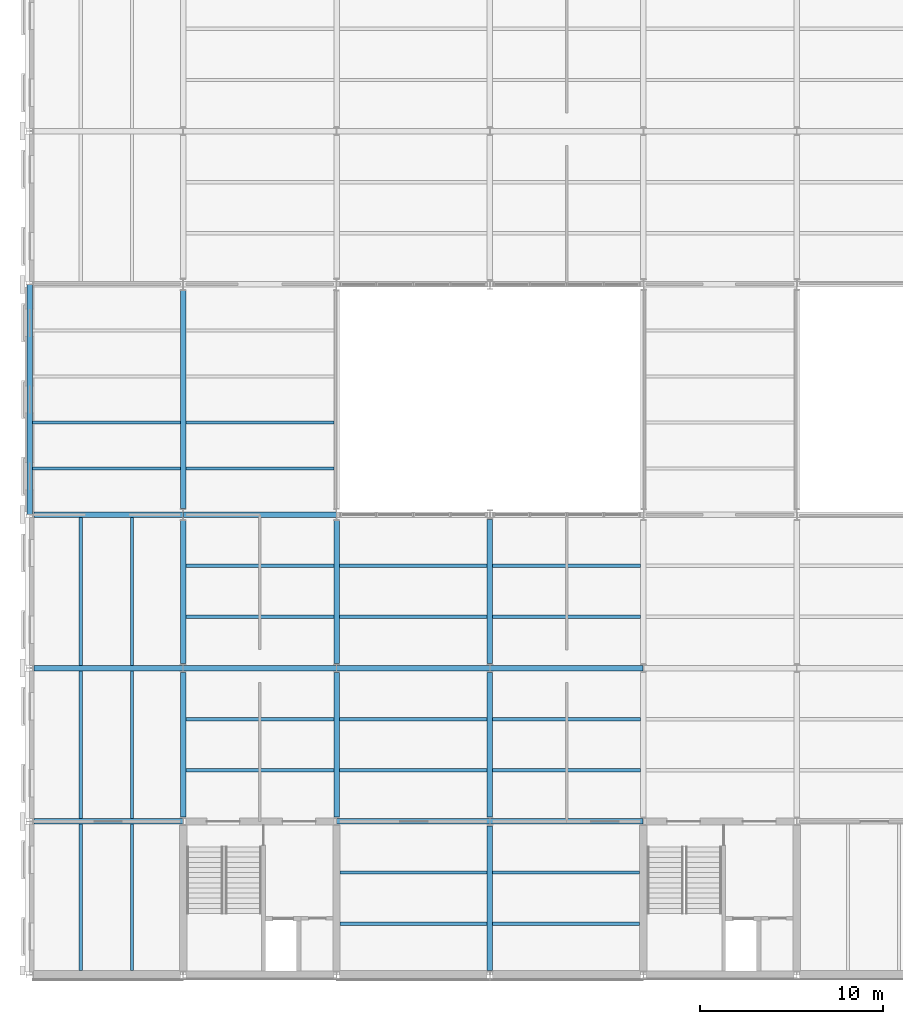
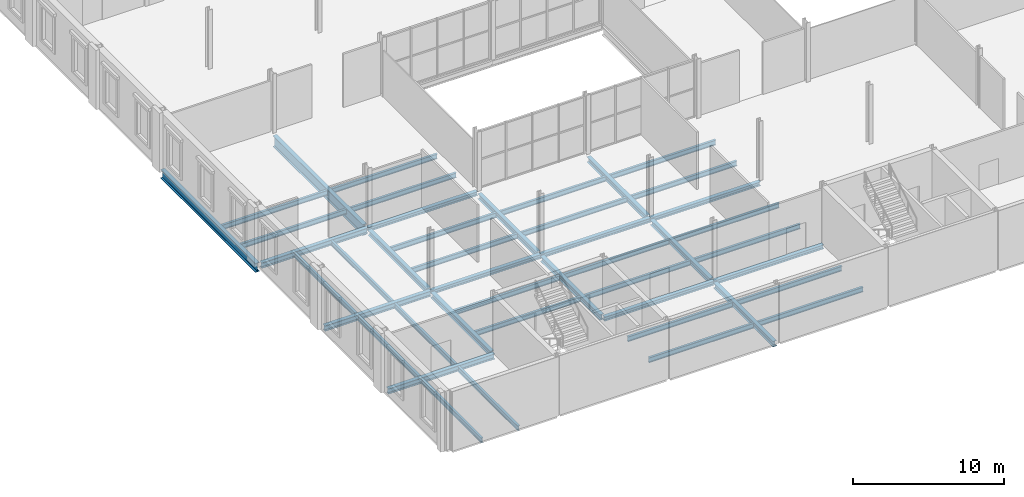
# One storey, part 9 of 52: 44 beams.
"""IFC4 building model written with IfcOpenShell, lengths in metres."""

from ifc_helpers import new_model, si_unit, direction, frame, origin, origin_2d, place, context, subcontext, project, spatial, i_section, extrude, material, material_profile, profile_set, type_object, element, save


model = new_model("IFC4")

# Units and contexts
model_context = context("Model", 3, precision=1e-05, world=origin(), true_north=direction((0.0, 1.0)))
body_context = subcontext(model_context, "Body", "Model", "MODEL_VIEW")
ifc_project = project(units=[si_unit("LENGTHUNIT", "METRE"), si_unit("AREAUNIT", "SQUARE_METRE"), si_unit("VOLUMEUNIT", "CUBIC_METRE"), si_unit("PLANEANGLEUNIT", "RADIAN"), si_unit("MASSUNIT", "GRAM", prefix="KILO")], contexts=[model_context])

# Site, building, storey
site_placement = place(None, origin())
site = spatial("IfcSite", under=ifc_project, at=site_placement, CompositionType="ELEMENT")
building_placement = place(site_placement, origin())
building = spatial("IfcBuilding", under=site, at=building_placement, Name="Galleria Vessillo Department Store", CompositionType="ELEMENT")
storey_placement = place(building_placement, frame((0.0, 0.0, 16.199951171875)))
storey = spatial("IfcBuildingStorey", under=building, at=storey_placement, Name="L03", CompositionType="ELEMENT", Elevation=16.199951171875)

# Beams
ifc_material_1 = material(Name="Steel S355 J2", Category="steel")
ifc_material_profile_1 = material_profile(ifc_material_1, i_section(OverallWidth=0.300048828125, OverallDepth=0.43994140625, WebThickness=0.011474609375, FlangeThickness=0.02099609375, FilletRadius=0.027099609375, at=origin_2d()), Name="HEA 450")
ifc_profile_set_1 = profile_set([ifc_material_profile_1], Name="Steel S355 J2")
beam_type_1 = type_object("IfcBeamType", Name="Floor girder HEA 450", PredefinedType="BEAM", material=ifc_profile_set_1)
for number, where, z_axis, x_axis, name in (
    (1, (0.250244140625, 8.39990234375, -0.369873046875), (1.0, 0.0, 0.0), (0.0, 1.0, 0.0), "S-BM-L03-GI-x8400-250"),
    (2, (0.250244140625, 16.800048828125, -0.369873046875), (1.0, 0.0, 0.0), (0.0, 1.0, 0.0), "S-BM-L03-GI-x16800-250"),
):
    element("IfcBeam", number, at=place(storey_placement, frame(where, z_axis=z_axis, x_axis=x_axis)), inside=storey, type_object=beam_type_1, Name=name, PredefinedType="BEAM", context=body_context, shape_type="SweptSolid", body=[
        extrude(i_section(OverallWidth=0.300048828125, OverallDepth=0.43994140625, WebThickness=0.011474609375, FlangeThickness=0.02099609375, FilletRadius=0.027099609375, at=origin_2d()), origin(), (0.0, 0.0, 1.0), 8.142333984375),
    ])
beam_1_placement = place(storey_placement, frame((0.250244140625, 25.199951171875, -0.369873046875), z_axis=(1.0, 0.0, 0.0), x_axis=(0.0, 1.0, 0.0)))
element("IfcBeam", 3, at=beam_1_placement, inside=storey, type_object=beam_type_1, Name="S-BM-L03-GI-x25200-250", PredefinedType="BEAM", context=body_context, shape_type="SweptSolid", body=[
    extrude(i_section(OverallWidth=0.300048828125, OverallDepth=0.43994140625, WebThickness=0.011474609375, FlangeThickness=0.02099609375, FilletRadius=0.027099609375, at=origin_2d()), origin(), (0.0, 0.0, 1.0), 8.13916015625),
])
beam_2_placement = place(storey_placement, frame((8.39990234375, 8.650146484375, -0.369873046875), z_axis=(0.0, 1.0, 0.0), x_axis=(-1.0, 0.0, 0.0)))
element("IfcBeam", 4, at=beam_2_placement, inside=storey, type_object=beam_type_1, Name="S-BM-L03-GI-y8400-8650", PredefinedType="BEAM", context=body_context, shape_type="SweptSolid", body=[
    extrude(i_section(OverallWidth=0.300048828125, OverallDepth=0.43994140625, WebThickness=0.011474609375, FlangeThickness=0.02099609375, FilletRadius=0.027099609375, at=origin_2d()), origin(), (0.0, 0.0, 1.0), 7.899658203125),
])
beam_3_placement = place(storey_placement, frame((8.39990234375, 17.050048828125, -0.369873046875), z_axis=(0.0, 1.0, 0.0), x_axis=(-1.0, 0.0, 0.0)))
element("IfcBeam", 5, at=beam_3_placement, inside=storey, type_object=beam_type_1, Name="S-BM-L03-GI-y8400-17050", PredefinedType="BEAM", context=body_context, shape_type="SweptSolid", body=[
    extrude(i_section(OverallWidth=0.300048828125, OverallDepth=0.43994140625, WebThickness=0.011474609375, FlangeThickness=0.02099609375, FilletRadius=0.027099609375, at=origin_2d()), origin(), (0.0, 0.0, 1.0), 7.81591796875),
])
beam_4_placement = place(storey_placement, frame((16.800048828125, 8.650146484375, -0.369873046875), z_axis=(0.0, 1.0, 0.0), x_axis=(-1.0, 0.0, 0.0)))
element("IfcBeam", 6, at=beam_4_placement, inside=storey, type_object=beam_type_1, Name="S-BM-L03-GI-y16800-8650", PredefinedType="BEAM", context=body_context, shape_type="SweptSolid", body=[
    extrude(i_section(OverallWidth=0.300048828125, OverallDepth=0.43994140625, WebThickness=0.011474609375, FlangeThickness=0.02099609375, FilletRadius=0.027099609375, at=origin_2d()), origin(), (0.0, 0.0, 1.0), 7.899658203125),
])
beam_5_placement = place(storey_placement, frame((16.800048828125, 17.050048828125, -0.369873046875), z_axis=(0.0, 1.0, 0.0), x_axis=(-1.0, 0.0, 0.0)))
element("IfcBeam", 7, at=beam_5_placement, inside=storey, type_object=beam_type_1, Name="S-BM-L03-GI-y16800-17050", PredefinedType="BEAM", context=body_context, shape_type="SweptSolid", body=[
    extrude(i_section(OverallWidth=0.300048828125, OverallDepth=0.43994140625, WebThickness=0.011474609375, FlangeThickness=0.02099609375, FilletRadius=0.027099609375, at=origin_2d()), origin(), (0.0, 0.0, 1.0), 7.81591796875),
])
for number, where, z_axis, x_axis, name in (
    (8, (25.199951171875, 0.250244140625, -0.369873046875), (0.0, 1.0, 0.0), (-1.0, 0.0, 0.0), "S-BM-L03-GI-y25200-250"),
    (9, (25.199951171875, 8.650146484375, -0.369873046875), (0.0, 1.0, 0.0), (-1.0, 0.0, 0.0), "S-BM-L03-GI-y25200-8650"),
):
    element("IfcBeam", number, at=place(storey_placement, frame(where, z_axis=z_axis, x_axis=x_axis)), inside=storey, type_object=beam_type_1, Name=name, PredefinedType="BEAM", context=body_context, shape_type="SweptSolid", body=[
        extrude(i_section(OverallWidth=0.300048828125, OverallDepth=0.43994140625, WebThickness=0.011474609375, FlangeThickness=0.02099609375, FilletRadius=0.027099609375, at=origin_2d()), origin(), (0.0, 0.0, 1.0), 7.899658203125),
    ])
beam_6_placement = place(storey_placement, frame((25.199951171875, 17.050048828125, -0.369873046875), z_axis=(0.0, 1.0, 0.0), x_axis=(-1.0, 0.0, 0.0)))
element("IfcBeam", 10, at=beam_6_placement, inside=storey, type_object=beam_type_1, Name="S-BM-L03-GI-y25200-17050", PredefinedType="BEAM", context=body_context, shape_type="SweptSolid", body=[
    extrude(i_section(OverallWidth=0.300048828125, OverallDepth=0.43994140625, WebThickness=0.011474609375, FlangeThickness=0.02099609375, FilletRadius=0.027099609375, at=origin_2d()), origin(), (0.0, 0.0, 1.0), 7.887939453125),
])
ifc_material_2 = material(Name="Steel S355 J2", Category="steel")
ifc_material_profile_2 = material_profile(ifc_material_2, i_section(OverallWidth=0.300048828125, OverallDepth=0.889892578125, WebThickness=0.01611328125, FlangeThickness=0.030029296875, FilletRadius=0.030029296875, at=origin_2d()), Name="HEA 900")
ifc_profile_set_2 = profile_set([ifc_material_profile_2], Name="Steel S355 J2")
beam_type_2 = type_object("IfcBeamType", Name="Floor girder HEA 900", PredefinedType="BEAM", material=ifc_profile_set_2)
beam_7_placement = place(storey_placement, frame((8.39990234375, 25.5341796875, -0.594970703125), z_axis=(0.0, 1.0, 0.0), x_axis=(-1.0, 0.0, 0.0)))
element("IfcBeam", 11, at=beam_7_placement, inside=storey, type_object=beam_type_2, Name="S-BM-L03-GI-y8400-25534", PredefinedType="BEAM", context=body_context, shape_type="SweptSolid", body=[
    extrude(i_section(OverallWidth=0.300048828125, OverallDepth=0.889892578125, WebThickness=0.01611328125, FlangeThickness=0.030029296875, FilletRadius=0.030029296875, at=origin_2d()), origin(), (0.0, 0.0, 1.0), 11.931640625),
])
ifc_material_3 = material(Name="Steel S355 J2", Category="steel")
ifc_material_profile_3 = material_profile(ifc_material_3, i_section(OverallWidth=0.179931640625, OverallDepth=0.39990234375, WebThickness=0.008544921875, FlangeThickness=0.013427734375, FilletRadius=0.02099609375, at=origin_2d()), Name="IPE 400")
ifc_profile_set_3 = profile_set([ifc_material_profile_3], Name="Steel S355 J2")
beam_type_3 = type_object("IfcBeamType", Name="Floor joist IPE 400", PredefinedType="JOIST", material=ifc_profile_set_3)
for number, where, z_axis, x_axis, name in (
    (12, (2.800048828125, 0.250244140625, -0.349853515625), (0.0, 1.0, 0.0), (-1.0, 0.0, 0.0), "S-BM-L03-JO-y2800-250"),
    (13, (5.60009765625, 0.250244140625, -0.349853515625), (0.0, 1.0, 0.0), (-1.0, 0.0, 0.0), "S-BM-L03-JO-y5600-250"),
):
    element("IfcBeam", number, at=place(storey_placement, frame(where, z_axis=z_axis, x_axis=x_axis)), inside=storey, type_object=beam_type_3, Name=name, PredefinedType="JOIST", context=body_context, shape_type="SweptSolid", body=[
        extrude(i_section(OverallWidth=0.179931640625, OverallDepth=0.39990234375, WebThickness=0.008544921875, FlangeThickness=0.013427734375, FilletRadius=0.02099609375, at=origin_2d()), origin(), (0.0, 0.0, 1.0), 7.99951171875),
    ])
for number, where, z_axis, x_axis, name in (
    (14, (2.800048828125, 8.550048828125, -0.349853515625), (0.0, 1.0, 0.0), (-1.0, 0.0, 0.0), "S-BM-L03-JO-y2800-8550"),
    (15, (5.60009765625, 8.550048828125, -0.349853515625), (0.0, 1.0, 0.0), (-1.0, 0.0, 0.0), "S-BM-L03-JO-y5600-8550"),
):
    element("IfcBeam", number, at=place(storey_placement, frame(where, z_axis=z_axis, x_axis=x_axis)), inside=storey, type_object=beam_type_3, Name=name, PredefinedType="JOIST", context=body_context, shape_type="SweptSolid", body=[
        extrude(i_section(OverallWidth=0.179931640625, OverallDepth=0.39990234375, WebThickness=0.008544921875, FlangeThickness=0.013427734375, FilletRadius=0.02099609375, at=origin_2d()), origin(), (0.0, 0.0, 1.0), 8.099853515625),
    ])
for number, where, z_axis, x_axis, name in (
    (16, (2.800048828125, 16.9501953125, -0.349853515625), (0.0, 1.0, 0.0), (-1.0, 0.0, 0.0), "S-BM-L03-JO-y2800-16950"),
    (17, (5.60009765625, 16.9501953125, -0.349853515625), (0.0, 1.0, 0.0), (-1.0, 0.0, 0.0), "S-BM-L03-JO-y5600-16950"),
):
    element("IfcBeam", number, at=place(storey_placement, frame(where, z_axis=z_axis, x_axis=x_axis)), inside=storey, type_object=beam_type_3, Name=name, PredefinedType="JOIST", context=body_context, shape_type="SweptSolid", body=[
        extrude(i_section(OverallWidth=0.179931640625, OverallDepth=0.39990234375, WebThickness=0.008544921875, FlangeThickness=0.013427734375, FilletRadius=0.02099609375, at=origin_2d()), origin(), (0.0, 0.0, 1.0), 8.099609375),
    ])
for number, where, z_axis, x_axis, name in (
    (18, (0.152099609375, 27.719970703125, -0.349853515625), (1.0, 0.0, 0.0), (0.0, 1.0, 0.0), "S-BM-L03-JO-x27720-152"),
    (19, (0.152099609375, 30.239990234375, -0.349853515625), (1.0, 0.0, 0.0), (0.0, 1.0, 0.0), "S-BM-L03-JO-x30240-152"),
):
    element("IfcBeam", number, at=place(storey_placement, frame(where, z_axis=z_axis, x_axis=x_axis)), inside=storey, type_object=beam_type_3, Name=name, PredefinedType="JOIST", context=body_context, shape_type="SweptSolid", body=[
        extrude(i_section(OverallWidth=0.179931640625, OverallDepth=0.39990234375, WebThickness=0.008544921875, FlangeThickness=0.013427734375, FilletRadius=0.02099609375, at=origin_2d()), origin(), (0.0, 0.0, 1.0), 8.09765625),
    ])
for number, where, z_axis, x_axis, name in (
    (20, (8.550048828125, 11.199951171875, -0.349853515625), (1.0, 0.0, 0.0), (0.0, 1.0, 0.0), "S-BM-L03-JO-x11200-8550"),
    (21, (8.550048828125, 14.0, -0.349853515625), (1.0, 0.0, 0.0), (0.0, 1.0, 0.0), "S-BM-L03-JO-x14000-8550"),
    (22, (8.550048828125, 19.60009765625, -0.349853515625), (1.0, 0.0, 0.0), (0.0, 1.0, 0.0), "S-BM-L03-JO-x19600-8550"),
    (23, (8.550048828125, 22.39990234375, -0.349853515625), (1.0, 0.0, 0.0), (0.0, 1.0, 0.0), "S-BM-L03-JO-x22400-8550"),
    (24, (8.550048828125, 27.719970703125, -0.349853515625), (1.0, 0.0, 0.0), (0.0, 1.0, 0.0), "S-BM-L03-JO-x27720-8550"),
    (25, (8.550048828125, 30.239990234375, -0.349853515625), (1.0, 0.0, 0.0), (0.0, 1.0, 0.0), "S-BM-L03-JO-x30240-8550"),
):
    element("IfcBeam", number, at=place(storey_placement, frame(where, z_axis=z_axis, x_axis=x_axis)), inside=storey, type_object=beam_type_3, Name=name, PredefinedType="JOIST", context=body_context, shape_type="SweptSolid", body=[
        extrude(i_section(OverallWidth=0.179931640625, OverallDepth=0.39990234375, WebThickness=0.008544921875, FlangeThickness=0.013427734375, FilletRadius=0.02099609375, at=origin_2d()), origin(), (0.0, 0.0, 1.0), 8.099853515625),
    ])
for number, where, z_axis, x_axis, name in (
    (26, (17.000244140625, 2.800048828125, -0.349853515625), (1.0, 0.0, 0.0), (0.0, 1.0, 0.0), "S-BM-L03-JO-x2800-17000"),
    (27, (17.000244140625, 5.60009765625, -0.349853515625), (1.0, 0.0, 0.0), (0.0, 1.0, 0.0), "S-BM-L03-JO-x5600-17000"),
):
    element("IfcBeam", number, at=place(storey_placement, frame(where, z_axis=z_axis, x_axis=x_axis)), inside=storey, type_object=beam_type_3, Name=name, PredefinedType="JOIST", context=body_context, shape_type="SweptSolid", body=[
        extrude(i_section(OverallWidth=0.179931640625, OverallDepth=0.39990234375, WebThickness=0.008544921875, FlangeThickness=0.013427734375, FilletRadius=0.02099609375, at=origin_2d()), origin(), (0.0, 0.0, 1.0), 8.049560546875),
    ])
for number, where, z_axis, x_axis, name in (
    (28, (16.9501953125, 11.199951171875, -0.349853515625), (1.0, 0.0, 0.0), (0.0, 1.0, 0.0), "S-BM-L03-JO-x11200-16950"),
    (29, (16.9501953125, 14.0, -0.349853515625), (1.0, 0.0, 0.0), (0.0, 1.0, 0.0), "S-BM-L03-JO-x14000-16950"),
    (30, (16.9501953125, 19.60009765625, -0.349853515625), (1.0, 0.0, 0.0), (0.0, 1.0, 0.0), "S-BM-L03-JO-x19600-16950"),
    (31, (16.9501953125, 22.39990234375, -0.349853515625), (1.0, 0.0, 0.0), (0.0, 1.0, 0.0), "S-BM-L03-JO-x22400-16950"),
):
    element("IfcBeam", number, at=place(storey_placement, frame(where, z_axis=z_axis, x_axis=x_axis)), inside=storey, type_object=beam_type_3, Name=name, PredefinedType="JOIST", context=body_context, shape_type="SweptSolid", body=[
        extrude(i_section(OverallWidth=0.179931640625, OverallDepth=0.39990234375, WebThickness=0.008544921875, FlangeThickness=0.013427734375, FilletRadius=0.02099609375, at=origin_2d()), origin(), (0.0, 0.0, 1.0), 8.099609375),
    ])
for number, where, z_axis, x_axis, name in (
    (32, (25.35009765625, 2.800048828125, -0.349853515625), (1.0, 0.0, 0.0), (0.0, 1.0, 0.0), "S-BM-L03-JO-x2800-25350"),
    (33, (25.35009765625, 5.60009765625, -0.349853515625), (1.0, 0.0, 0.0), (0.0, 1.0, 0.0), "S-BM-L03-JO-x5600-25350"),
):
    element("IfcBeam", number, at=place(storey_placement, frame(where, z_axis=z_axis, x_axis=x_axis)), inside=storey, type_object=beam_type_3, Name=name, PredefinedType="JOIST", context=body_context, shape_type="SweptSolid", body=[
        extrude(i_section(OverallWidth=0.179931640625, OverallDepth=0.39990234375, WebThickness=0.008544921875, FlangeThickness=0.013427734375, FilletRadius=0.02099609375, at=origin_2d()), origin(), (0.0, 0.0, 1.0), 8.0498046875),
    ])
for number, where, z_axis, x_axis, name in (
    (34, (25.35009765625, 11.199951171875, -0.349853515625), (1.0, 0.0, 0.0), (0.0, 1.0, 0.0), "S-BM-L03-JO-x11200-25350"),
    (35, (25.35009765625, 14.0, -0.349853515625), (1.0, 0.0, 0.0), (0.0, 1.0, 0.0), "S-BM-L03-JO-x14000-25350"),
    (36, (25.35009765625, 19.60009765625, -0.349853515625), (1.0, 0.0, 0.0), (0.0, 1.0, 0.0), "S-BM-L03-JO-x19600-25350"),
    (37, (25.35009765625, 22.39990234375, -0.349853515625), (1.0, 0.0, 0.0), (0.0, 1.0, 0.0), "S-BM-L03-JO-x22400-25350"),
):
    element("IfcBeam", number, at=place(storey_placement, frame(where, z_axis=z_axis, x_axis=x_axis)), inside=storey, type_object=beam_type_3, Name=name, PredefinedType="JOIST", context=body_context, shape_type="SweptSolid", body=[
        extrude(i_section(OverallWidth=0.179931640625, OverallDepth=0.39990234375, WebThickness=0.008544921875, FlangeThickness=0.013427734375, FilletRadius=0.02099609375, at=origin_2d()), origin(), (0.0, 0.0, 1.0), 8.099853515625),
    ])
ifc_material_4 = material(Name="Steel S355 J2", Category="steel")
ifc_material_profile_4 = material_profile(ifc_material_4, i_section(OverallWidth=0.300048828125, OverallDepth=0.330078125, WebThickness=0.009521484375, FlangeThickness=0.0166015625, FilletRadius=0.027099609375, at=origin_2d()), Name="HEA 340")
ifc_profile_set_4 = profile_set([ifc_material_profile_4], Name="Steel S355 J2")
beam_type_4 = type_object("IfcBeamType", Name="Floor tie girder HEA 340", PredefinedType="BEAM", material=ifc_profile_set_4)
for number, where, z_axis, x_axis, name in (
    (38, (16.807373046875, 8.39990234375, -0.31494140625), (1.0, 0.0, 0.0), (0.0, 1.0, 0.0), "S-BM-L03-TI-x8400-16807"),
    (39, (25.207275390625, 8.39990234375, -0.31494140625), (1.0, 0.0, 0.0), (0.0, 1.0, 0.0), "S-BM-L03-TI-x8400-25207"),
    (40, (8.407470703125, 16.800048828125, -0.31494140625), (1.0, 0.0, 0.0), (0.0, 1.0, 0.0), "S-BM-L03-TI-x16800-8407"),
    (41, (16.807373046875, 16.800048828125, -0.31494140625), (1.0, 0.0, 0.0), (0.0, 1.0, 0.0), "S-BM-L03-TI-x16800-16807"),
    (42, (25.207275390625, 16.800048828125, -0.31494140625), (1.0, 0.0, 0.0), (0.0, 1.0, 0.0), "S-BM-L03-TI-x16800-25207"),
):
    element("IfcBeam", number, at=place(storey_placement, frame(where, z_axis=z_axis, x_axis=x_axis)), inside=storey, type_object=beam_type_4, Name=name, PredefinedType="BEAM", context=body_context, shape_type="SweptSolid", body=[
        extrude(i_section(OverallWidth=0.300048828125, OverallDepth=0.330078125, WebThickness=0.009521484375, FlangeThickness=0.0166015625, FilletRadius=0.027099609375, at=origin_2d()), origin(), (0.0, 0.0, 1.0), 8.38525390625),
    ])
beam_8_placement = place(storey_placement, frame((8.41064453125, 25.199951171875, -0.31494140625), z_axis=(1.0, 0.0, 0.0), x_axis=(0.0, 1.0, 0.0)))
element("IfcBeam", 43, at=beam_8_placement, inside=storey, type_object=beam_type_4, Name="S-BM-L03-TI-x25200-8411", PredefinedType="BEAM", context=body_context, shape_type="SweptSolid", body=[
    extrude(i_section(OverallWidth=0.300048828125, OverallDepth=0.330078125, WebThickness=0.009521484375, FlangeThickness=0.0166015625, FilletRadius=0.027099609375, at=origin_2d()), origin(), (0.0, 0.0, 1.0), 8.378662109375),
])
ifc_material_5 = material(Name="Steel S355 J2", Category="steel")
ifc_material_profile_5 = material_profile(ifc_material_5, i_section(OverallWidth=0.303955078125, OverallDepth=0.716064453125, WebThickness=0.02099609375, FlangeThickness=0.0400390625, FilletRadius=0.027099609375, at=origin_2d()), Name="HEM 700")
ifc_profile_set_5 = profile_set([ifc_material_profile_5], Name="Steel S355 J2")
beam_type_5 = type_object("IfcBeamType", Name="Portal girder HEM 700", PredefinedType="BEAM", material=ifc_profile_set_5)
beam_9_placement = place(storey_placement, frame((0.0, 25.207275390625, -0.5078125), z_axis=(0.0, 1.0, 0.0), x_axis=(-1.0, 0.0, 0.0)))
element("IfcBeam", 44, at=beam_9_placement, inside=storey, type_object=beam_type_5, Name="S-BM-L03-PO-y0-25207", PredefinedType="BEAM", context=body_context, shape_type="SweptSolid", body=[
    extrude(i_section(OverallWidth=0.303955078125, OverallDepth=0.716064453125, WebThickness=0.02099609375, FlangeThickness=0.0400390625, FilletRadius=0.027099609375, at=origin_2d()), origin(), (0.0, 0.0, 1.0), 12.58544921875),
])

save(model, "model.ifc")
